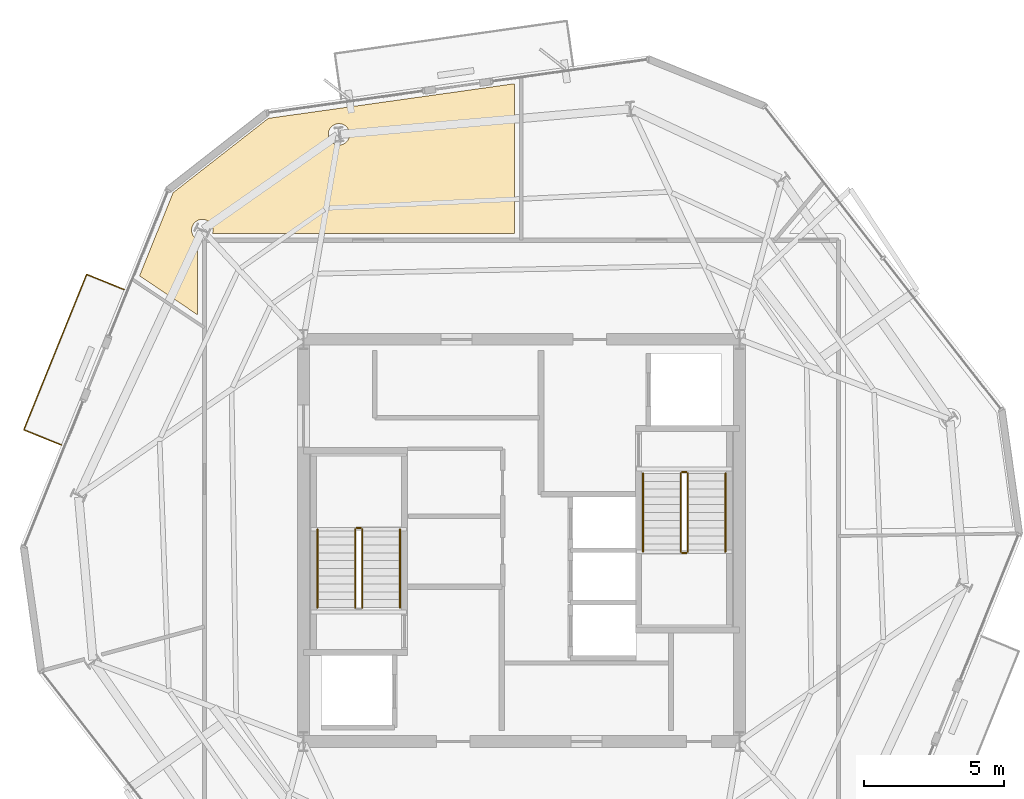
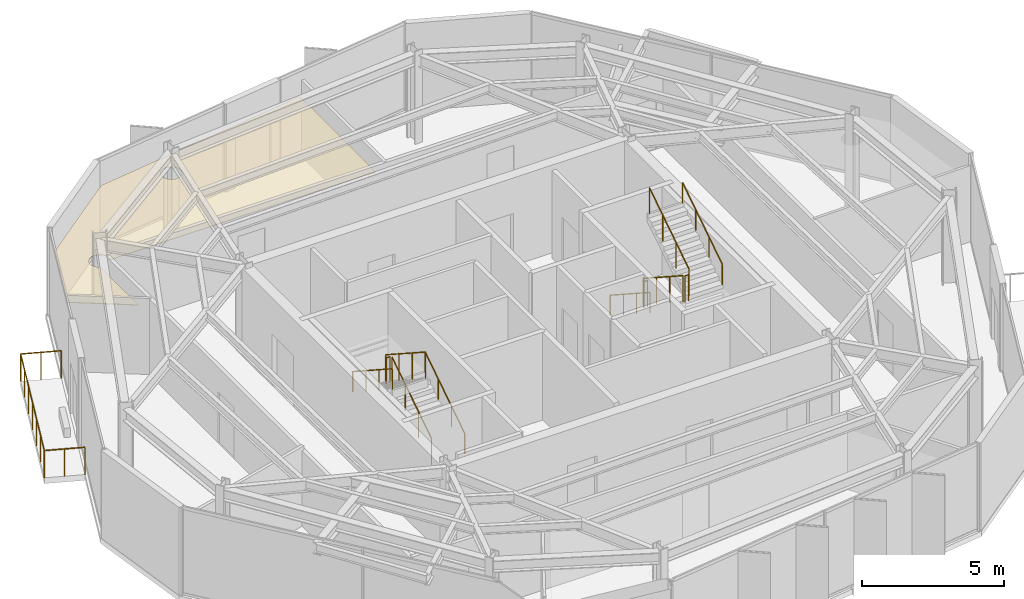
# One storey, part 10 of 11: 12 railings, 1 covering.
"""IFC4 building model written with IfcOpenShell, lengths in metres."""

import ifcopenshell
import ifcopenshell.guid

model = None  # the IFC model being written
_history = None  # IfcOwnerHistory: only IFC2X3 demands one
_inside = {}  # id of a spatial element -> (the spatial element, [elements in it])
_under = {}  # id of a project, library or spatial element -> (it, [spatial elements below it])
_declared = {}  # id of a project -> (the project, [libraries it declares])
_typed = {}  # id of a type object -> (the type object, [elements of that type])
_made_of = {}  # id of a material, layer set ... -> (it, [elements and type objects made of it])


def new_model(schema):
    """Start an empty IFC model of exactly this schema.

    Asked for "IFC4X3", IfcOpenShell would pick the latest addendum, in which some entities
    have other attributes; the version numbers below select the first issue.
    IFC2X3 requires an IfcOwnerHistory on every rooted entity: one is made here for all.
    """
    global model, _history
    if schema == "IFC4X3":
        model = ifcopenshell.file(schema_version=(4, 3, 0, 0))
    else:
        model = ifcopenshell.file(schema=schema)
    _inside.clear()
    _under.clear()
    _declared.clear()
    _typed.clear()
    _made_of.clear()
    _history = None
    if model.schema == "IFC2X3":
        org = make("IfcOrganization", Name="unknown")
        user = make(
            "IfcPersonAndOrganization",
            ThePerson=make("IfcPerson", FamilyName="unknown"),
            TheOrganization=org,
        )
        app = make(
            "IfcApplication",
            ApplicationDeveloper=org,
            Version="unknown",
            ApplicationFullName="unknown",
            ApplicationIdentifier="unknown",
        )
        _history = make(
            "IfcOwnerHistory",
            OwningUser=user,
            OwningApplication=app,
            ChangeAction="ADDED",
            CreationDate=0,
        )
    return model


def make(cls, **values):
    """One entity of the class cls with the attributes given. An attribute that is None is left unset."""
    return model.create_entity(
        cls, **{name: value for name, value in values.items() if value is not None}
    )


def rooted(cls, **values):
    """An entity with a GlobalId (a new one), such as an element, a storey or a relation."""
    return make(cls, GlobalId=ifcopenshell.guid.new(), OwnerHistory=_history, **values)


def si_unit(unit_type, name, prefix=None):
    """IfcSIUnit, for example si_unit("LENGTHUNIT", "METRE", prefix="MILLI")."""
    return make("IfcSIUnit", UnitType=unit_type, Prefix=prefix, Name=name)


def assignment(units):
    """IfcUnitAssignment: the units of a project."""
    return None if units is None else make("IfcUnitAssignment", Units=units)


def point(xyz):
    """IfcCartesianPoint."""
    return None if xyz is None else make("IfcCartesianPoint", Coordinates=xyz)


def direction(xyz):
    """IfcDirection."""
    return None if xyz is None else make("IfcDirection", DirectionRatios=xyz)


def frame(location, z_axis=None, x_axis=None):
    """IfcAxis2Placement3D, a coordinate frame: its origin and axes. An axis left out is left unset."""
    return make(
        "IfcAxis2Placement3D",
        Location=point(location),
        Axis=direction(z_axis),
        RefDirection=direction(x_axis),
    )


def frame_2d(location, x_axis=None):
    """IfcAxis2Placement2D, a coordinate frame in the plane: its origin and x axis."""
    return make(
        "IfcAxis2Placement2D", Location=point(location), RefDirection=direction(x_axis)
    )


def origin():
    """The frame at (0, 0, 0) with its axes left unset."""
    return frame((0.0, 0.0, 0.0))


def origin_2d():
    """The frame at (0, 0) in the plane with its x axis left unset."""
    return frame_2d((0.0, 0.0))


def place(relative_to, where):
    """IfcLocalPlacement: puts the frame where relative to a parent placement (None: the world)."""
    return make(
        "IfcLocalPlacement", PlacementRelTo=relative_to, RelativePlacement=where
    )


def context(
    kind, dimensions, precision=None, world=None, true_north=None, identifier=None
):
    """IfcGeometricRepresentationContext, for example the 3D "Model" context."""
    return make(
        "IfcGeometricRepresentationContext",
        ContextIdentifier=identifier,
        ContextType=kind,
        CoordinateSpaceDimension=dimensions,
        Precision=precision,
        WorldCoordinateSystem=world,
        TrueNorth=true_north,
    )


def subcontext(parent, identifier, kind, view, scale=None):
    """IfcGeometricRepresentationSubContext, for example "Body" below "Model"."""
    return make(
        "IfcGeometricRepresentationSubContext",
        ContextIdentifier=identifier,
        ContextType=kind,
        ParentContext=parent,
        TargetScale=scale,
        TargetView=view,
    )


def project(units=None, contexts=None):
    """IfcProject with its units and contexts."""
    return rooted(
        "IfcProject",
        Name="project",
        RepresentationContexts=contexts,
        UnitsInContext=assignment(units),
    )


def spatial(cls, under=None, at=None, **own):
    """A site, building, storey or space (cls), placed at a placement, below another one or the project."""
    s = rooted(cls, ObjectPlacement=at, **own)
    if under is not None:
        _under.setdefault(under.id(), (under, []))[1].append(s)
    return s


def polyline(points):
    """IfcPolyline through the points."""
    return make("IfcPolyline", Points=[point(p) for p in points])


def profile(cls, at=None, kind="AREA", **sizes):
    """A parametric profile (cls). Its sizes go by their IFC names, for example OverallWidth=200.0."""
    return make(cls, ProfileType=kind, Position=at, **sizes)


def circle(**sizes):
    """IfcCircleProfileDef."""
    return profile("IfcCircleProfileDef", **sizes)


def outline(outer, holes=None, kind="AREA"):
    """IfcArbitraryClosedProfileDef: a profile drawn as a closed curve; with holes, ...WithVoids."""
    if holes is None:
        return make("IfcArbitraryClosedProfileDef", ProfileType=kind, OuterCurve=outer)
    return make(
        "IfcArbitraryProfileDefWithVoids",
        ProfileType=kind,
        OuterCurve=outer,
        InnerCurves=holes,
    )


def extrude(swept, where, along, depth):
    """IfcExtrudedAreaSolid: the profile swept, set in the frame where, extruded along a direction by depth."""
    return make(
        "IfcExtrudedAreaSolid",
        SweptArea=swept,
        Position=where,
        ExtrudedDirection=direction(along),
        Depth=depth,
    )


def shape(context_of_items, identifier, shape_type, items):
    """IfcShapeRepresentation: the items that make up one representation, for example the "Body"."""
    return make(
        "IfcShapeRepresentation",
        ContextOfItems=context_of_items,
        RepresentationIdentifier=identifier,
        RepresentationType=shape_type,
        Items=items,
    )


def material(Name=None, Category=None):
    """IfcMaterial."""
    return make("IfcMaterial", Name=Name, Category=Category)


def layer(
    of_material, thickness, ventilated=None, Name=None, Category=None, Priority=None
):
    """IfcMaterialLayer: one layer of a wall or slab, of a material (None: an air gap)."""
    return make(
        "IfcMaterialLayer",
        Material=of_material,
        LayerThickness=thickness,
        IsVentilated=ventilated,
        Name=Name,
        Category=Category,
        Priority=Priority,
    )


def layer_set(layers, Name=None):
    """IfcMaterialLayerSet."""
    return make("IfcMaterialLayerSet", MaterialLayers=layers, LayerSetName=Name)


def made_of(thing, what):
    """Note that an element or type object is made of a material, layer set ...; save() writes the relation."""
    if what is not None:
        _made_of.setdefault(what.id(), (what, []))[1].append(thing)
    return thing


def type_object(cls, material=None, **own):
    """A type object (cls), such as IfcWallType, which elements share."""
    return made_of(rooted(cls, **own), material)


def element(
    cls,
    number,
    at=None,
    inside=None,
    cuts=None,
    type_object=None,
    material=None,
    context=None,
    identifier="Body",
    shape_type=None,
    held_by="IfcProductDefinitionShape",
    body=None,
    shapes=None,
    **own,
):
    """One element of the class cls, such as IfcWall. Its Tag is "e" and its number.

    at: its placement. inside: the storey or other place that contains it. cuts: it is an
    opening in that element (IfcRelVoidsElement). A single representation is given by context,
    identifier, shape_type and body (its items); several are given by shapes. held_by: the class
    of the entity that holds the representations. save() writes the other relations.
    """
    e = rooted(cls, Tag="e%d" % number, ObjectPlacement=at, **own)
    if body is not None:
        shapes = [shape(context, identifier, shape_type, body)]
    if shapes is not None:
        e.Representation = make(held_by, Representations=shapes)
    if inside is not None:
        _inside.setdefault(inside.id(), (inside, []))[1].append(e)
    if cuts is not None:
        rooted(
            "IfcRelVoidsElement", RelatingBuildingElement=cuts, RelatedOpeningElement=e
        )
    if type_object is not None:
        _typed.setdefault(type_object.id(), (type_object, []))[1].append(e)
    return made_of(e, material)


def aggregate(whole, parts):
    """IfcRelAggregates: a whole, such as a stair, and the parts it consists of."""
    return rooted("IfcRelAggregates", RelatingObject=whole, RelatedObjects=parts)


def save(model, path):
    """Write the relations noted so far, then the file.

    IfcRelAggregates (storeys below a building ...), IfcRelContainedInSpatialStructure (elements
    in a storey), IfcRelDefinesByType, IfcRelAssociatesMaterial and IfcRelDeclares: one each for
    every whole, place, type object, material and project.
    """
    for whole, parts in _under.values():
        aggregate(whole, parts)
    for where, things in _inside.values():
        rooted(
            "IfcRelContainedInSpatialStructure",
            RelatedElements=things,
            RelatingStructure=where,
        )
    for kind, things in _typed.values():
        rooted("IfcRelDefinesByType", RelatedObjects=things, RelatingType=kind)
    for what, things in _made_of.values():
        rooted("IfcRelAssociatesMaterial", RelatedObjects=things, RelatingMaterial=what)
    for by, libraries in _declared.values():
        rooted("IfcRelDeclares", RelatingContext=by, RelatedDefinitions=libraries)
    model.write(path)


model = new_model("IFC4")

# Units and contexts
model_context = context("Model", 3, precision=1e-05, world=origin(), true_north=direction((0.0, 1.0)))
body_context = subcontext(model_context, "Body", "Model", "MODEL_VIEW")
ifc_project = project(units=[si_unit("LENGTHUNIT", "METRE"), si_unit("AREAUNIT", "SQUARE_METRE"), si_unit("VOLUMEUNIT", "CUBIC_METRE"), si_unit("PLANEANGLEUNIT", "RADIAN"), si_unit("MASSUNIT", "GRAM", prefix="KILO")], contexts=[model_context])

# Site, building, storey
site_placement = place(None, origin())
site = spatial("IfcSite", under=ifc_project, at=site_placement, CompositionType="ELEMENT")
building_placement = place(site_placement, origin())
building = spatial("IfcBuilding", under=site, at=building_placement, Name="Kranzbogen Civic Tower", CompositionType="ELEMENT")
storey_placement = place(building_placement, frame((0.0, 0.0, 298.199951171875)))
storey = spatial("IfcBuildingStorey", under=building, at=storey_placement, Name="L72", CompositionType="ELEMENT", Elevation=298.199951171875)

# Railings
ifc_material_1 = material(Name="Anodised Bronze Aluminium", Category="aluminium")
railing_type_1 = type_object("IfcRailingType", Name="Cantilevered Balcony Glass and Bronze Balustrade 1200", PredefinedType="BALUSTRADE", material=ifc_material_1)
railing_1_placement = place(storey_placement, frame((10.779052734375, 33.98095703125, 0.0)))
element("IfcRailing", 1, at=railing_1_placement, inside=storey, type_object=railing_type_1, Name="L72 exterior terrace balustrade L72-TB2", PredefinedType="BALUSTRADE", context=body_context, shape_type="SweptSolid", body=[
    extrude(circle(Radius=0.02392578125, at=origin_2d()), frame((0.0, 0.0, 1.17578125), z_axis=(-0.927193470061, 0.374582793354, 0.0), x_axis=(-0.374582793354, -0.927193470061, 0.0)), (0.0, 0.0, 1.0), 1.449462890625),
    extrude(circle(Radius=0.02392578125, at=origin_2d()), frame((-1.343994140625, 0.54296875, 1.17578125), z_axis=(-0.374671599569, -0.927157587725, 0.0), x_axis=(0.927157587725, -0.374671599569, 0.0)), (0.0, 0.0, 1.0), 6.0),
    extrude(circle(Radius=0.02392578125, at=origin_2d()), frame((-3.592041015625, -5.02001953125, 1.17578125), z_axis=(0.927193470061, -0.374582793354, 0.0), x_axis=(0.374582793354, 0.927193470061, 0.0)), (0.0, 0.0, 1.0), 1.449462890625),
    extrude(circle(Radius=0.02099609375, at=origin_2d()), origin(), (0.0, 0.0, 1.0), 1.15185546875),
    extrude(circle(Radius=0.02099609375, at=origin_2d()), frame((-0.671875, 0.271484375, 0.0)), (0.0, 0.0, 1.0), 1.15185546875),
    extrude(circle(Radius=0.02099609375, at=origin_2d()), frame((-1.343994140625, 0.54296875, 0.0)), (0.0, 0.0, 1.0), 1.15185546875),
    extrude(circle(Radius=0.02099609375, at=origin_2d()), frame((-1.71875, -0.38427734375, 0.0)), (0.0, 0.0, 1.0), 1.15185546875),
    extrude(circle(Radius=0.02099609375, at=origin_2d()), frame((-2.09326171875, -1.311279296875, 0.0)), (0.0, 0.0, 1.0), 1.15185546875),
    extrude(circle(Radius=0.02099609375, at=origin_2d()), frame((-2.468017578125, -2.238525390625, 0.0)), (0.0, 0.0, 1.0), 1.15185546875),
    extrude(circle(Radius=0.02099609375, at=origin_2d()), frame((-2.8427734375, -3.165771484375, 0.0)), (0.0, 0.0, 1.0), 1.15185546875),
    extrude(circle(Radius=0.02099609375, at=origin_2d()), frame((-3.21728515625, -4.0927734375, 0.0)), (0.0, 0.0, 1.0), 1.15185546875),
    extrude(circle(Radius=0.02099609375, at=origin_2d()), frame((-3.592041015625, -5.02001953125, 0.0)), (0.0, 0.0, 1.0), 1.15185546875),
    extrude(circle(Radius=0.02099609375, at=origin_2d()), frame((-2.919921875, -5.29150390625, 0.0)), (0.0, 0.0, 1.0), 1.15185546875),
    extrude(circle(Radius=0.02099609375, at=origin_2d()), frame((-2.248046875, -5.56298828125, 0.0)), (0.0, 0.0, 1.0), 1.15185546875),
])
ifc_material_2 = material(Name="Steel S355", Category="steel")
railing_type_2 = type_object("IfcRailingType", Name="Internal Stair and Void Steel Guardrail 1150", PredefinedType="GUARDRAIL", material=ifc_material_2)
railing_2_placement = place(storey_placement, frame((19.300048828125, 22.60009765625, 0.181884765625)))
element("IfcRailing", 2, at=railing_2_placement, inside=storey, type_object=railing_type_2, Name="L72 ST-T1 stair guard 1", PredefinedType="GUARDRAIL", context=body_context, shape_type="SweptSolid", body=[
    extrude(circle(Radius=0.02392578125, at=origin_2d()), frame((0.0, 0.0, 1.1259765625), z_axis=(0.0, 0.83868413941, 0.544618136222), x_axis=(-1.0, 0.0, 0.0)), (0.0, 0.0, 1.0), 3.33837890625),
    extrude(circle(Radius=0.02099609375, at=origin_2d()), origin(), (0.0, 0.0, 1.0), 1.101806640625),
    extrude(circle(Radius=0.02099609375, at=origin_2d()), frame((0.0, 0.933349609375, 0.60595703125)), (0.0, 0.0, 1.0), 1.101806640625),
    extrude(circle(Radius=0.02099609375, at=origin_2d()), frame((0.0, 1.866455078125, 1.212158203125)), (0.0, 0.0, 1.0), 1.101806640625),
    extrude(circle(Radius=0.02099609375, at=origin_2d()), frame((0.0, 2.7998046875, 1.818115234375)), (0.0, 0.0, 1.0), 1.101806640625),
])
railing_3_placement = place(storey_placement, frame((19.25, 25.449951171875, 2.0)))
element("IfcRailing", 3, at=railing_3_placement, inside=storey, type_object=railing_type_2, Name="L72 ST-T1 stair guard 2", PredefinedType="GUARDRAIL", context=body_context, shape_type="SweptSolid", body=[
    extrude(circle(Radius=0.02392578125, at=origin_2d()), frame((0.0, 0.0, 1.1259765625), z_axis=(-1.0, 0.0, 0.0), x_axis=(0.0, -1.0, 0.0)), (0.0, 0.0, 1.0), 0.14990234375),
    extrude(circle(Radius=0.02099609375, at=origin_2d()), origin(), (0.0, 0.0, 1.0), 1.101806640625),
    extrude(circle(Radius=0.02099609375, at=origin_2d()), frame((-0.14990234375, 0.0, 0.0)), (0.0, 0.0, 1.0), 1.101806640625),
])
for number, where, name in (
    (4, (19.050048828125, 25.39990234375, 2.181884765625), "L72 ST-T1 stair guard 3"),
    (5, (30.699951171875, 27.39990234375, 0.181884765625), "L72 ST-T2 stair guard 1"),
):
    element("IfcRailing", number, at=place(storey_placement, frame(where)), inside=storey, type_object=railing_type_2, Name=name, PredefinedType="GUARDRAIL", context=body_context, shape_type="SweptSolid", body=[
        extrude(circle(Radius=0.02392578125, at=origin_2d()), frame((0.0, 0.0, 1.1259765625), z_axis=(0.0, -0.83868413941, 0.544618136222), x_axis=(1.0, 0.0, 0.0)), (0.0, 0.0, 1.0), 3.33837890625),
        extrude(circle(Radius=0.02099609375, at=origin_2d()), origin(), (0.0, 0.0, 1.0), 1.101806640625),
        extrude(circle(Radius=0.02099609375, at=origin_2d()), frame((0.0, -0.933349609375, 0.60595703125)), (0.0, 0.0, 1.0), 1.101806640625),
        extrude(circle(Radius=0.02099609375, at=origin_2d()), frame((0.0, -1.866455078125, 1.212158203125)), (0.0, 0.0, 1.0), 1.101806640625),
        extrude(circle(Radius=0.02099609375, at=origin_2d()), frame((0.0, -2.7998046875, 1.818115234375)), (0.0, 0.0, 1.0), 1.101806640625),
    ])
railing_4_placement = place(storey_placement, frame((30.75, 24.550048828125, 2.0)))
element("IfcRailing", 6, at=railing_4_placement, inside=storey, type_object=railing_type_2, Name="L72 ST-T2 stair guard 2", PredefinedType="GUARDRAIL", context=body_context, shape_type="SweptSolid", body=[
    extrude(circle(Radius=0.02392578125, at=origin_2d()), frame((0.0, 0.0, 1.1259765625), z_axis=(1.0, 0.0, 0.0), x_axis=(0.0, 1.0, 0.0)), (0.0, 0.0, 1.0), 0.14990234375),
    extrude(circle(Radius=0.02099609375, at=origin_2d()), origin(), (0.0, 0.0, 1.0), 1.101806640625),
    extrude(circle(Radius=0.02099609375, at=origin_2d()), frame((0.14990234375, 0.0, 0.0)), (0.0, 0.0, 1.0), 1.101806640625),
])
railing_5_placement = place(storey_placement, frame((30.949951171875, 24.60009765625, 2.181884765625)))
element("IfcRailing", 7, at=railing_5_placement, inside=storey, type_object=railing_type_2, Name="L72 ST-T2 stair guard 3", PredefinedType="GUARDRAIL", context=body_context, shape_type="SweptSolid", body=[
    extrude(circle(Radius=0.02392578125, at=origin_2d()), frame((0.0, 0.0, 1.1259765625), z_axis=(0.0, 0.83868413941, 0.544618136222), x_axis=(-1.0, 0.0, 0.0)), (0.0, 0.0, 1.0), 3.33837890625),
    extrude(circle(Radius=0.02099609375, at=origin_2d()), origin(), (0.0, 0.0, 1.0), 1.101806640625),
    extrude(circle(Radius=0.02099609375, at=origin_2d()), frame((0.0, 0.933349609375, 0.60595703125)), (0.0, 0.0, 1.0), 1.101806640625),
    extrude(circle(Radius=0.02099609375, at=origin_2d()), frame((0.0, 1.866455078125, 1.212158203125)), (0.0, 0.0, 1.0), 1.101806640625),
    extrude(circle(Radius=0.02099609375, at=origin_2d()), frame((0.0, 2.7998046875, 1.818115234375)), (0.0, 0.0, 1.0), 1.101806640625),
])
railing_6_placement = place(storey_placement, frame((30.75, 27.449951171875, 0.0)))
element("IfcRailing", 8, at=railing_6_placement, inside=storey, type_object=railing_type_2, Name="L72 ST-T2 stair guard 4", PredefinedType="GUARDRAIL", context=body_context, shape_type="SweptSolid", body=[
    extrude(circle(Radius=0.02392578125, at=origin_2d()), frame((0.0, 0.0, 1.1259765625), z_axis=(1.0, 0.0, 0.0), x_axis=(0.0, 1.0, 0.0)), (0.0, 0.0, 1.0), 0.14990234375),
    extrude(circle(Radius=0.02099609375, at=origin_2d()), origin(), (0.0, 0.0, 1.0), 1.101806640625),
    extrude(circle(Radius=0.02099609375, at=origin_2d()), frame((0.14990234375, 0.0, 0.0)), (0.0, 0.0, 1.0), 1.101806640625),
])

# Covering
ifc_material_3 = material(Name="Perforated Acoustic Gypsum Ceiling")
ifc_layer = layer(ifc_material_3, 0.02490234375, Name="Perforated Acoustic Gypsum Ceiling")
ifc_layer_set = layer_set([ifc_layer], Name="Perforated Acoustic Gypsum Ceiling")
covering_type = type_object("IfcCoveringType", Name="Perforated Acoustic Mineral Ceiling Tile 25 mm", PredefinedType="CEILING", material=ifc_layer_set)
covering_placement = place(storey_placement, frame((0.0, 0.0, 2.75)))
element("IfcCovering", 9, at=covering_placement, inside=storey, type_object=covering_type, Name="L72 Duty Crew Control Room acoustic ceiling", PredefinedType="CEILING", context=body_context, shape_type="SweptSolid", body=[
    extrude(outline(polyline([(15.93798828125, 40.111083984375), (24.7529296875, 41.35009765625), (24.7529296875, 35.9951171875), (13.94091796875, 35.9951171875), (13.94189453125, 35.9990234375), (13.950927734375, 36.034912109375), (13.95703125, 36.072021484375), (13.9580078125, 36.110107421875), (13.95703125, 36.14794921875), (13.950927734375, 36.18505859375), (13.94189453125, 36.220947265625), (13.928955078125, 36.257080078125), (13.9130859375, 36.291015625), (13.89404296875, 36.322998046875), (13.87109375, 36.35302734375), (13.845947265625, 36.381103515625), (13.818115234375, 36.406005859375), (13.7880859375, 36.428955078125), (13.756103515625, 36.447998046875), (13.721923828125, 36.464111328125), (13.68603515625, 36.47705078125), (13.64990234375, 36.486083984375), (13.613037109375, 36.491943359375), (13.574951171875, 36.492919921875), (13.537109375, 36.491943359375), (13.5, 36.486083984375), (13.464111328125, 36.47705078125), (13.427978515625, 36.464111328125), (13.39404296875, 36.447998046875), (13.362060546875, 36.428955078125), (13.33203125, 36.406005859375), (13.303955078125, 36.381103515625), (13.279052734375, 36.35302734375), (13.256103515625, 36.322998046875), (13.237060546875, 36.291015625), (13.220947265625, 36.257080078125), (13.2080078125, 36.220947265625), (13.198974609375, 36.18505859375), (13.193115234375, 36.14794921875), (13.19189453125, 36.110107421875), (13.193115234375, 36.072021484375), (13.198974609375, 36.034912109375), (13.2080078125, 35.9990234375), (13.220947265625, 35.962890625), (13.237060546875, 35.928955078125), (13.256103515625, 35.89697265625), (13.279052734375, 35.866943359375), (13.303955078125, 35.839111328125), (13.33203125, 35.81396484375), (13.362060546875, 35.791015625), (13.39404296875, 35.77197265625), (13.406005859375, 35.76611328125), (13.406005859375, 35.764892578125), (13.405029296875, 35.759033203125), (13.405029296875, 35.75), (13.405029296875, 33.076904296875), (11.327880859375, 34.471923828125), (12.530029296875, 37.447998046875), (15.93798828125, 40.111083984375)]), holes=[polyline([(18.821044921875, 39.388916015625), (18.804931640625, 39.35498046875), (18.785888671875, 39.322998046875), (18.762939453125, 39.29296875), (18.738037109375, 39.264892578125), (18.7099609375, 39.239990234375), (18.679931640625, 39.217041015625), (18.64794921875, 39.197998046875), (18.614013671875, 39.181884765625), (18.577880859375, 39.1689453125), (18.5419921875, 39.159912109375), (18.5048828125, 39.154052734375), (18.467041015625, 39.153076171875), (18.428955078125, 39.154052734375), (18.39208984375, 39.159912109375), (18.35595703125, 39.1689453125), (18.320068359375, 39.181884765625), (18.285888671875, 39.197998046875), (18.25390625, 39.217041015625), (18.22412109375, 39.239990234375), (18.196044921875, 39.264892578125), (18.1708984375, 39.29296875), (18.14794921875, 39.322998046875), (18.12890625, 39.35498046875), (18.113037109375, 39.388916015625), (18.10009765625, 39.425048828125), (18.091064453125, 39.4609375), (18.0849609375, 39.498046875), (18.083984375, 39.535888671875), (18.0849609375, 39.573974609375), (18.091064453125, 39.611083984375), (18.10009765625, 39.64697265625), (18.113037109375, 39.68310546875), (18.12890625, 39.717041015625), (18.14794921875, 39.7490234375), (18.1708984375, 39.779052734375), (18.196044921875, 39.806884765625), (18.22412109375, 39.83203125), (18.25390625, 39.85498046875), (18.285888671875, 39.8740234375), (18.320068359375, 39.889892578125), (18.35595703125, 39.903076171875), (18.39208984375, 39.912109375), (18.428955078125, 39.91796875), (18.467041015625, 39.9189453125), (18.5048828125, 39.91796875), (18.5419921875, 39.912109375), (18.577880859375, 39.903076171875), (18.614013671875, 39.889892578125), (18.64794921875, 39.8740234375), (18.679931640625, 39.85498046875), (18.7099609375, 39.83203125), (18.738037109375, 39.806884765625), (18.762939453125, 39.779052734375), (18.785888671875, 39.7490234375), (18.804931640625, 39.717041015625), (18.821044921875, 39.68310546875), (18.833984375, 39.64697265625), (18.843017578125, 39.611083984375), (18.84912109375, 39.573974609375), (18.85009765625, 39.535888671875), (18.84912109375, 39.498046875), (18.843017578125, 39.4609375), (18.833984375, 39.425048828125), (18.821044921875, 39.388916015625)])]), origin(), (0.0, 0.0, 1.0), 0.025146484375),
])

# Railings
ifc_material_4 = material(Name="Pale Anodised Aluminium", Category="aluminium")
railing_type_3 = type_object("IfcRailingType", Name="Tubular Stainless Stair Wall Handrail 900", PredefinedType="HANDRAIL", material=ifc_material_4)
railing_7_placement = place(storey_placement, frame((20.64990234375, 22.60009765625, 0.181884765625)))
element("IfcRailing", 10, at=railing_7_placement, inside=storey, type_object=railing_type_3, Name="L72 ST-T1 stair handrail 1", PredefinedType="HANDRAIL", context=body_context, shape_type="SweptSolid", body=[
    extrude(circle(Radius=0.02392578125, at=origin_2d()), frame((0.0, 0.0, 0.8759765625), z_axis=(0.0, 0.83868413941, 0.544618136222), x_axis=(-1.0, 0.0, 0.0)), (0.0, 0.0, 1.0), 3.33837890625),
    extrude(circle(Radius=0.02099609375, at=origin_2d()), origin(), (0.0, 0.0, 1.0), 0.851806640625),
    extrude(circle(Radius=0.02099609375, at=origin_2d()), frame((0.0, 0.933349609375, 0.60595703125)), (0.0, 0.0, 1.0), 0.851806640625),
    extrude(circle(Radius=0.02099609375, at=origin_2d()), frame((0.0, 1.866455078125, 1.212158203125)), (0.0, 0.0, 1.0), 0.851806640625),
    extrude(circle(Radius=0.02099609375, at=origin_2d()), frame((0.0, 2.7998046875, 1.818115234375)), (0.0, 0.0, 1.0), 0.851806640625),
])
for number, where, name in (
    (11, (17.699951171875, 25.39990234375, 2.181884765625), "L72 ST-T1 stair handrail 2"),
    (12, (29.35009765625, 27.39990234375, 0.181884765625), "L72 ST-T2 stair handrail 1"),
):
    element("IfcRailing", number, at=place(storey_placement, frame(where)), inside=storey, type_object=railing_type_3, Name=name, PredefinedType="HANDRAIL", context=body_context, shape_type="SweptSolid", body=[
        extrude(circle(Radius=0.02392578125, at=origin_2d()), frame((0.0, 0.0, 0.8759765625), z_axis=(0.0, -0.83868413941, 0.544618136222), x_axis=(1.0, 0.0, 0.0)), (0.0, 0.0, 1.0), 3.33837890625),
        extrude(circle(Radius=0.02099609375, at=origin_2d()), origin(), (0.0, 0.0, 1.0), 0.851806640625),
        extrude(circle(Radius=0.02099609375, at=origin_2d()), frame((0.0, -0.933349609375, 0.60595703125)), (0.0, 0.0, 1.0), 0.851806640625),
        extrude(circle(Radius=0.02099609375, at=origin_2d()), frame((0.0, -1.866455078125, 1.212158203125)), (0.0, 0.0, 1.0), 0.851806640625),
        extrude(circle(Radius=0.02099609375, at=origin_2d()), frame((0.0, -2.7998046875, 1.818115234375)), (0.0, 0.0, 1.0), 0.851806640625),
    ])
railing_8_placement = place(storey_placement, frame((32.300048828125, 24.60009765625, 2.181884765625)))
element("IfcRailing", 13, at=railing_8_placement, inside=storey, type_object=railing_type_3, Name="L72 ST-T2 stair handrail 2", PredefinedType="HANDRAIL", context=body_context, shape_type="SweptSolid", body=[
    extrude(circle(Radius=0.02392578125, at=origin_2d()), frame((0.0, 0.0, 0.8759765625), z_axis=(0.0, 0.83868413941, 0.544618136222), x_axis=(-1.0, 0.0, 0.0)), (0.0, 0.0, 1.0), 3.33837890625),
    extrude(circle(Radius=0.02099609375, at=origin_2d()), origin(), (0.0, 0.0, 1.0), 0.851806640625),
    extrude(circle(Radius=0.02099609375, at=origin_2d()), frame((0.0, 0.933349609375, 0.60595703125)), (0.0, 0.0, 1.0), 0.851806640625),
    extrude(circle(Radius=0.02099609375, at=origin_2d()), frame((0.0, 1.866455078125, 1.212158203125)), (0.0, 0.0, 1.0), 0.851806640625),
    extrude(circle(Radius=0.02099609375, at=origin_2d()), frame((0.0, 2.7998046875, 1.818115234375)), (0.0, 0.0, 1.0), 0.851806640625),
])

save(model, "model.ifc")
